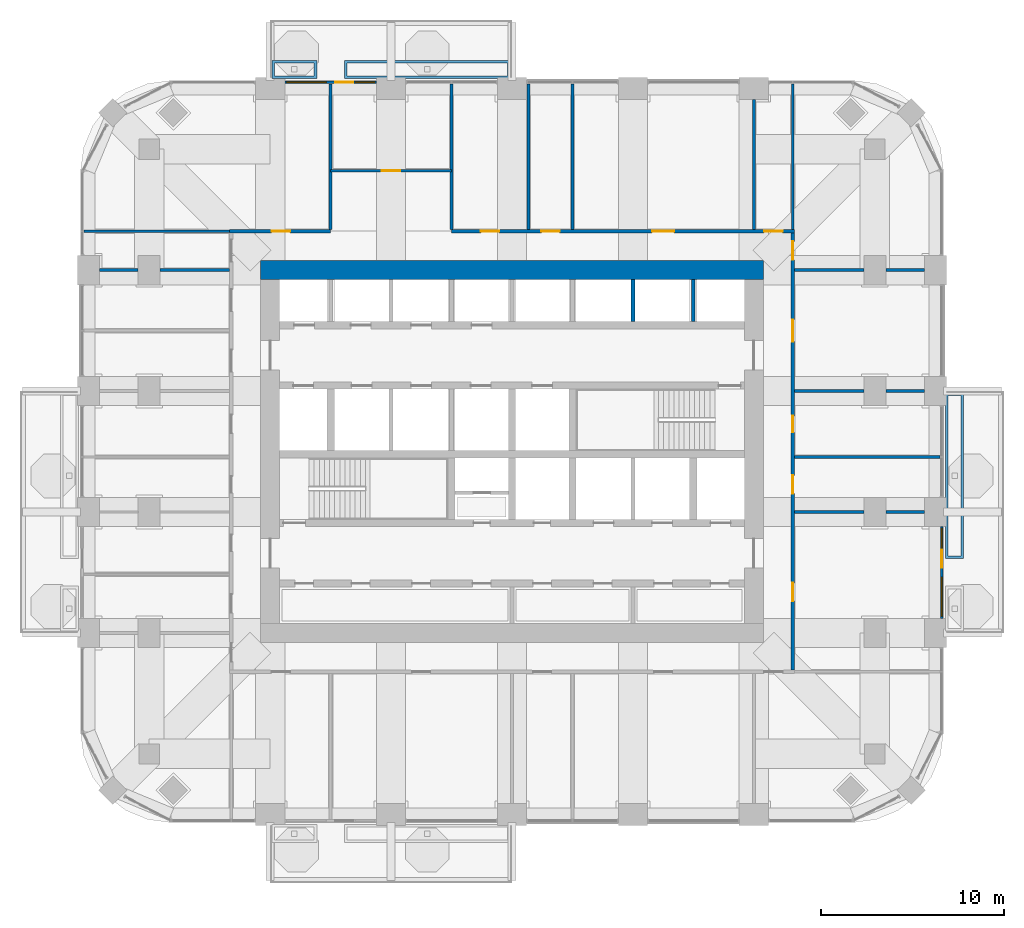
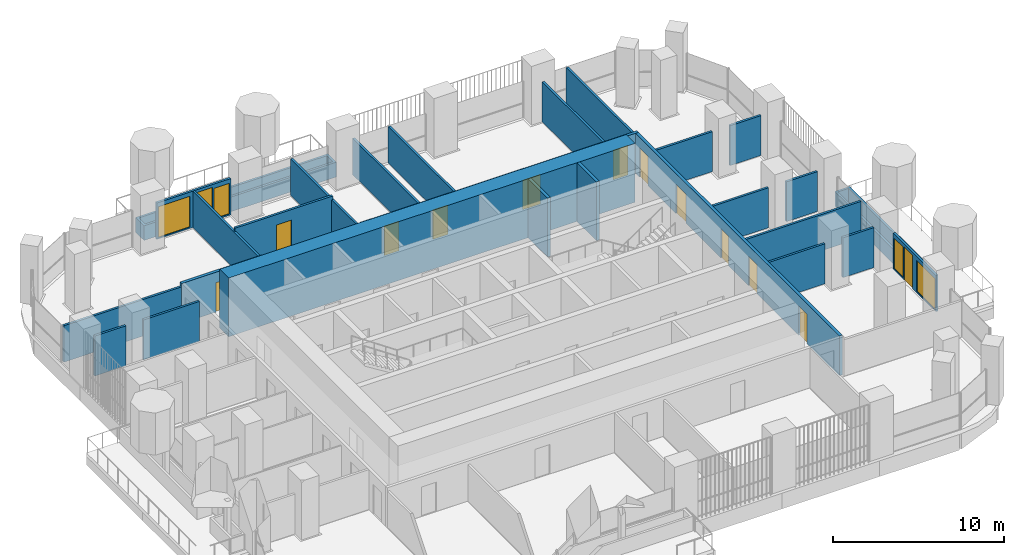
# One storey, part 14 of 20: 28 walls, 13 doors, 4 windows, 17 openings.
"""IFC4 building model written with IfcOpenShell, lengths in metres."""

from ifc_helpers import new_model, si_unit, direction, frame, frame_2d, origin, place, context, subcontext, project, spatial, polyline, rectangle, outline, extrude, material, layer, layer_set, type_object, element, fill, save


model = new_model("IFC4")

# Units and contexts
model_context = context("Model", 3, precision=1e-05, world=origin(), true_north=direction((0.0, 1.0)))
body_context = subcontext(model_context, "Body", "Model", "MODEL_VIEW")
ifc_project = project(units=[si_unit("LENGTHUNIT", "METRE"), si_unit("AREAUNIT", "SQUARE_METRE"), si_unit("VOLUMEUNIT", "CUBIC_METRE"), si_unit("PLANEANGLEUNIT", "RADIAN"), si_unit("MASSUNIT", "GRAM", prefix="KILO")], contexts=[model_context])

# Site, building, storey
site_placement = place(None, origin())
site = spatial("IfcSite", under=ifc_project, at=site_placement, CompositionType="ELEMENT")
building_placement = place(site_placement, origin())
building = spatial("IfcBuilding", under=site, at=building_placement, Name="Cobogo Forest Laboratory Tower", CompositionType="ELEMENT")
storey_placement = place(building_placement, frame((0.0, 0.0, 210.300048828125)))
storey = spatial("IfcBuildingStorey", under=building, at=storey_placement, Name="L48", CompositionType="ELEMENT", Elevation=210.300048828125)

# Wall
ifc_material_1 = material(Name="Concrete HA-50 (C50/60)", Category="concrete")
ifc_layer_1 = layer(ifc_material_1, 1.050048828125)
ifc_layer_set_1 = layer_set([ifc_layer_1], Name="CW1050 core outer wall 1050")
wall_type_1 = type_object("IfcWallType", Name="CW1050 core outer wall 1050", PredefinedType="SHEAR", material=ifc_layer_set_1)
wall_1_placement = place(storey_placement, frame((40.125, 33.0, 0.0), z_axis=(0.0, 0.0, 1.0), x_axis=(-1.0, 0.0, 0.0)))
element("IfcWall", 1, at=wall_1_placement, inside=storey, type_object=wall_type_1, Name="Core wall CO-N L48", PredefinedType="SHEAR", context=body_context, shape_type="SweptSolid", body=[
    extrude(rectangle(XDim=27.449951171875, YDim=1.050048828125, at=frame_2d((13.72509765625, 0.0))), origin(), (0.0, 0.0, 1.0), 4.199951171875),
])

# Wall, openings, door, windows
ifc_material_2 = material(Name="Aluminium framed glazed screen", Category="aluminium")
ifc_layer_2 = layer(ifc_material_2, 0.14990234375)
ifc_layer_set_2 = layer_set([ifc_layer_2], Name="GS1 glazed door screen 150")
wall_type_2 = type_object("IfcWallType", Name="GS1 glazed door screen 150", PredefinedType="SOLIDWALL", material=ifc_layer_set_2)
wall_2_placement = place(storey_placement, frame((49.85009765625, 14.0, 0.0), z_axis=(0.0, 0.0, 1.0), x_axis=(0.0, 1.0, 0.0)))
wall_2 = element("IfcWall", 2, at=wall_2_placement, inside=storey, type_object=wall_type_2, Name="Door screen BAL-E1 L48", PredefinedType="SOLIDWALL", context=body_context, shape_type="SweptSolid", body=[
    extrude(rectangle(XDim=5.0, YDim=0.14990234375, at=frame_2d((2.5, 0.0))), origin(), (0.0, 0.0, 1.0), 2.599853515625),
])
opening_1_placement = place(wall_2_placement, frame((2.75, 0.0, 0.0)))
opening_1 = element("IfcOpeningElement", 3, at=opening_1_placement, cuts=wall_2, Name="Opening L48-D19", PredefinedType="OPENING", context=body_context, shape_type="SweptSolid", body=[
    extrude(rectangle(XDim=1.0, YDim=2.39990234375, at=frame_2d((0.5, 1.199951171875))), frame((0.0, 0.0849609375, 0.0), z_axis=(0.0, -1.0, 0.0), x_axis=(1.0, 0.0, 0.0)), (0.0, 0.0, 1.0), 0.169921875),
])
opening_2_placement = place(wall_2_placement, frame((0.10009765625, 0.0, 0.10009765625)))
opening_2 = element("IfcOpeningElement", 4, at=opening_2_placement, cuts=wall_2, Name="Opening L48-W04", PredefinedType="OPENING", context=body_context, shape_type="SweptSolid", body=[
    extrude(rectangle(XDim=2.14990234375, YDim=2.199951171875, at=frame_2d((1.074951171875, 1.10009765625))), frame((0.0, 0.0849609375, 0.0), z_axis=(0.0, -1.0, 0.0), x_axis=(1.0, 0.0, 0.0)), (0.0, 0.0, 1.0), 0.169921875),
])
opening_3_placement = place(wall_2_placement, frame((3.85009765625, 0.0, 0.10009765625)))
opening_3 = element("IfcOpeningElement", 5, at=opening_3_placement, cuts=wall_2, Name="Opening L48-W06", PredefinedType="OPENING", context=body_context, shape_type="SweptSolid", body=[
    extrude(rectangle(XDim=1.050048828125, YDim=2.199951171875, at=frame_2d((0.52490234375, 1.10009765625))), frame((0.0, 0.0849609375, 0.0), z_axis=(0.0, -1.0, 0.0), x_axis=(1.0, 0.0, 0.0)), (0.0, 0.0, 1.0), 0.169921875),
])
ifc_material_3 = material(Name="Aluminium glazed door", Category="aluminium")
door_type_1 = type_object("IfcDoorType", Name="DB1 balcony door 1000 glazed", OperationType="SINGLE_SWING_LEFT", PredefinedType="DOOR", material=ifc_material_3)
door_1_placement = place(opening_1_placement, origin())
door_1 = element("IfcDoor", 6, at=door_1_placement, inside=storey, type_object=door_type_1, Name="Door L48-BAL-E1", OperationType="SINGLE_SWING_RIGHT", OverallHeight=2.39990234375, OverallWidth=1.0, PredefinedType="DOOR", context=body_context, shape_type="SweptSolid", body=[
    extrude(rectangle(XDim=1.0, YDim=2.39990234375, at=frame_2d((0.5, 1.199951171875))), frame((0.0, 0.02490234375, 0.0), z_axis=(0.0, -1.0, 0.0), x_axis=(1.0, 0.0, 0.0)), (0.0, 0.0, 1.0), 0.050048828125),
])
fill(opening_1, door_1)
ifc_material_4 = material(Name="Aluminium framed glazing", Category="aluminium")
window_type_1 = type_object("IfcWindowType", Name="WG17 fixed glazed light 2150x2200", PartitioningType="SINGLE_PANEL", PredefinedType="WINDOW", material=ifc_material_4)
window_1_placement = place(opening_2_placement, origin())
window_1 = element("IfcWindow", 7, at=window_1_placement, inside=storey, type_object=window_type_1, Name="Window L48-BAL-E1-1", OverallHeight=2.199951171875, OverallWidth=2.14990234375, PartitioningType="SINGLE_PANEL", PredefinedType="WINDOW", context=body_context, shape_type="SweptSolid", body=[
    extrude(rectangle(XDim=2.14990234375, YDim=2.199951171875, at=frame_2d((1.074951171875, 1.10009765625))), frame((0.0, 0.030029296875, 0.0), z_axis=(0.0, -1.0, 0.0), x_axis=(1.0, 0.0, 0.0)), (0.0, 0.0, 1.0), 0.06005859375),
])
fill(opening_2, window_1)
window_type_2 = type_object("IfcWindowType", Name="WG18 fixed glazed light 1050x2200", PartitioningType="SINGLE_PANEL", PredefinedType="WINDOW", material=ifc_material_4)
window_2_placement = place(opening_3_placement, origin())
window_2 = element("IfcWindow", 8, at=window_2_placement, inside=storey, type_object=window_type_2, Name="Window L48-BAL-E1-2", OverallHeight=2.199951171875, OverallWidth=1.050048828125, PartitioningType="SINGLE_PANEL", PredefinedType="WINDOW", context=body_context, shape_type="SweptSolid", body=[
    extrude(rectangle(XDim=1.050048828125, YDim=2.199951171875, at=frame_2d((0.52490234375, 1.10009765625))), frame((0.0, 0.030029296875, 0.0), z_axis=(0.0, -1.0, 0.0), x_axis=(1.0, 0.0, 0.0)), (0.0, 0.0, 1.0), 0.06005859375),
])
fill(opening_3, window_2)

wall_3_placement = place(storey_placement, frame((19.0, 43.25, 0.0), z_axis=(0.0, 0.0, 1.0), x_axis=(-1.0, 0.0, 0.0)))
wall_3 = element("IfcWall", 9, at=wall_3_placement, inside=storey, type_object=wall_type_2, Name="Door screen BAL-N1 L48", PredefinedType="SOLIDWALL", context=body_context, shape_type="SweptSolid", body=[
    extrude(rectangle(XDim=5.0, YDim=0.14990234375, at=frame_2d((2.5, 0.0))), origin(), (0.0, 0.0, 1.0), 2.599853515625),
])
opening_4_placement = place(wall_3_placement, frame((1.25, 0.0, 0.0)))
opening_4 = element("IfcOpeningElement", 10, at=opening_4_placement, cuts=wall_3, Name="Opening L48-D45", PredefinedType="OPENING", context=body_context, shape_type="SweptSolid", body=[
    extrude(rectangle(XDim=1.0, YDim=2.39990234375, at=frame_2d((0.5, 1.199951171875))), frame((0.0, 0.0849609375, 0.0), z_axis=(0.0, -1.0, 0.0), x_axis=(1.0, 0.0, 0.0)), (0.0, 0.0, 1.0), 0.169921875),
])
opening_5_placement = place(wall_3_placement, frame((0.10009765625, 0.0, 0.10009765625)))
opening_5 = element("IfcOpeningElement", 11, at=opening_5_placement, cuts=wall_3, Name="Opening L48-W08", PredefinedType="OPENING", context=body_context, shape_type="SweptSolid", body=[
    extrude(rectangle(XDim=1.050048828125, YDim=2.199951171875, at=frame_2d((0.52490234375, 1.10009765625))), frame((0.0, 0.0849609375, 0.0), z_axis=(0.0, -1.0, 0.0), x_axis=(1.0, 0.0, 0.0)), (0.0, 0.0, 1.0), 0.169921875),
])
opening_6_placement = place(wall_3_placement, frame((2.75, 0.0, 0.10009765625)))
opening_6 = element("IfcOpeningElement", 12, at=opening_6_placement, cuts=wall_3, Name="Opening L48-W07", PredefinedType="OPENING", context=body_context, shape_type="SweptSolid", body=[
    extrude(rectangle(XDim=2.14990234375, YDim=2.199951171875, at=frame_2d((1.074951171875, 1.10009765625))), frame((0.0, 0.0849609375, 0.0), z_axis=(0.0, -1.0, 0.0), x_axis=(1.0, 0.0, 0.0)), (0.0, 0.0, 1.0), 0.169921875),
])
door_2_placement = place(opening_4_placement, origin())
door_2 = element("IfcDoor", 13, at=door_2_placement, inside=storey, type_object=door_type_1, Name="Door L48-BAL-N1", OperationType="SINGLE_SWING_LEFT", OverallHeight=2.39990234375, OverallWidth=1.0, PredefinedType="DOOR", context=body_context, shape_type="SweptSolid", body=[
    extrude(rectangle(XDim=1.0, YDim=2.39990234375, at=frame_2d((0.5, 1.199951171875))), frame((0.0, 0.02490234375, 0.0), z_axis=(0.0, -1.0, 0.0), x_axis=(1.0, 0.0, 0.0)), (0.0, 0.0, 1.0), 0.050048828125),
])
fill(opening_4, door_2)
window_3_placement = place(opening_6_placement, origin())
window_3 = element("IfcWindow", 14, at=window_3_placement, inside=storey, type_object=window_type_1, Name="Window L48-BAL-N1-2", OverallHeight=2.199951171875, OverallWidth=2.14990234375, PartitioningType="SINGLE_PANEL", PredefinedType="WINDOW", context=body_context, shape_type="SweptSolid", body=[
    extrude(rectangle(XDim=2.14990234375, YDim=2.199951171875, at=frame_2d((1.074951171875, 1.10009765625))), frame((0.0, 0.030029296875, 0.0), z_axis=(0.0, -1.0, 0.0), x_axis=(1.0, 0.0, 0.0)), (0.0, 0.0, 1.0), 0.06005859375),
])
fill(opening_6, window_3)
window_4_placement = place(opening_5_placement, origin())
window_4 = element("IfcWindow", 15, at=window_4_placement, inside=storey, type_object=window_type_2, Name="Window L48-BAL-N1-1", OverallHeight=2.199951171875, OverallWidth=1.050048828125, PartitioningType="SINGLE_PANEL", PredefinedType="WINDOW", context=body_context, shape_type="SweptSolid", body=[
    extrude(rectangle(XDim=1.050048828125, YDim=2.199951171875, at=frame_2d((0.52490234375, 1.10009765625))), frame((0.0, 0.030029296875, 0.0), z_axis=(0.0, -1.0, 0.0), x_axis=(1.0, 0.0, 0.0)), (0.0, 0.0, 1.0), 0.06005859375),
])
fill(opening_5, window_4)

# Walls
ifc_material_5 = material(Name="Gypsum board on steel studs", Category="steel")
ifc_layer_3 = layer(ifc_material_5, 0.14990234375)
ifc_layer_set_3 = layer_set([ifc_layer_3], Name="PT1 laboratory partition 150")
wall_type_3 = type_object("IfcWallType", Name="PT1 laboratory partition 150", PredefinedType="PARTITIONING", material=ifc_layer_set_3)
wall_4_placement = place(storey_placement, frame((41.72509765625, 43.169921875, 0.0), z_axis=(0.0, 0.0, 1.0), x_axis=(0.0, -1.0, 0.0)))
element("IfcWall", 16, at=wall_4_placement, inside=storey, type_object=wall_type_3, Name="Partition PW-NE L48", PredefinedType="PARTITIONING", context=body_context, shape_type="SweptSolid", body=[
    extrude(rectangle(XDim=7.94482421875, YDim=0.14990234375, at=frame_2d((3.972412109375, 0.0))), origin(), (0.0, 0.0, 1.0), 2.599853515625),
])
for number, where, z_axis, x_axis, name in (
    (17, (3.030029296875, 35.125, 0.0), (0.0, 0.0, 1.0), (1.0, 0.0, 0.0), "Partition PW-NW L48"),
    (18, (49.77001953125, 22.800048828125, 0.0), (0.0, 0.0, 1.0), (-1.0, 0.0, 0.0), "Partition SVC-E1-1 L48"),
):
    element("IfcWall", number, at=place(storey_placement, frame(where, z_axis=z_axis, x_axis=x_axis)), inside=storey, type_object=wall_type_3, Name=name, PredefinedType="PARTITIONING", context=body_context, shape_type="SweptSolid", body=[
        extrude(rectangle(XDim=7.945068359375, YDim=0.14990234375, at=frame_2d((3.97265625, 0.0))), origin(), (0.0, 0.0, 1.0), 2.599853515625),
    ])
wall_5_placement = place(storey_placement, frame((48.89990234375, 26.39990234375, 0.0), z_axis=(0.0, 0.0, 1.0), x_axis=(-1.0, 0.0, 0.0)))
element("IfcWall", 19, at=wall_5_placement, inside=storey, type_object=wall_type_3, Name="Partition SVC-E2-1 L48", PredefinedType="PARTITIONING", context=body_context, shape_type="SweptSolid", body=[
    extrude(rectangle(XDim=2.099853515625, YDim=0.14990234375, at=frame_2d((1.0498046875, 0.0))), origin(), (0.0, 0.0, 1.0), 2.849853515625),
])
wall_6_placement = place(storey_placement, frame((45.60009765625, 26.39990234375, 0.0), z_axis=(0.0, 0.0, 1.0), x_axis=(-1.0, 0.0, 0.0)))
element("IfcWall", 20, at=wall_6_placement, inside=storey, type_object=wall_type_3, Name="Partition SVC-E2-2 L48", PredefinedType="PARTITIONING", context=body_context, shape_type="SweptSolid", body=[
    extrude(rectangle(XDim=3.775146484375, YDim=0.14990234375, at=frame_2d((1.8876953125, 0.0))), origin(), (0.0, 0.0, 1.0), 2.849853515625),
])
wall_7_placement = place(storey_placement, frame((48.89990234375, 19.800048828125, 0.0), z_axis=(0.0, 0.0, 1.0), x_axis=(-1.0, 0.0, 0.0)))
element("IfcWall", 21, at=wall_7_placement, inside=storey, type_object=wall_type_3, Name="Partition CUT-E19.8-1 L48", PredefinedType="PARTITIONING", context=body_context, shape_type="SweptSolid", body=[
    extrude(rectangle(XDim=2.099853515625, YDim=0.14990234375, at=frame_2d((1.0498046875, 0.0))), origin(), (0.0, 0.0, 1.0), 2.849853515625),
])
wall_8_placement = place(storey_placement, frame((45.60009765625, 19.800048828125, 0.0), z_axis=(0.0, 0.0, 1.0), x_axis=(-1.0, 0.0, 0.0)))
element("IfcWall", 22, at=wall_8_placement, inside=storey, type_object=wall_type_3, Name="Partition CUT-E19.8-2 L48", PredefinedType="PARTITIONING", context=body_context, shape_type="SweptSolid", body=[
    extrude(rectangle(XDim=3.775146484375, YDim=0.14990234375, at=frame_2d((1.8876953125, 0.0))), origin(), (0.0, 0.0, 1.0), 2.849853515625),
])
wall_9_placement = place(storey_placement, frame((48.89990234375, 33.0, 0.0), z_axis=(0.0, 0.0, 1.0), x_axis=(-1.0, 0.0, 0.0)))
element("IfcWall", 23, at=wall_9_placement, inside=storey, type_object=wall_type_3, Name="Partition CUT-E33-1 L48", PredefinedType="PARTITIONING", context=body_context, shape_type="SweptSolid", body=[
    extrude(rectangle(XDim=2.099853515625, YDim=0.14990234375, at=frame_2d((1.0498046875, 0.0))), origin(), (0.0, 0.0, 1.0), 2.849853515625),
])
wall_10_placement = place(storey_placement, frame((45.60009765625, 33.0, 0.0), z_axis=(0.0, 0.0, 1.0), x_axis=(-1.0, 0.0, 0.0)))
element("IfcWall", 24, at=wall_10_placement, inside=storey, type_object=wall_type_3, Name="Partition CUT-E33-2 L48", PredefinedType="PARTITIONING", context=body_context, shape_type="SweptSolid", body=[
    extrude(rectangle(XDim=3.775146484375, YDim=0.14990234375, at=frame_2d((1.8876953125, 0.0))), origin(), (0.0, 0.0, 1.0), 2.849853515625),
])

# Wall, opening, door
wall_11_placement = place(storey_placement, frame((16.5, 38.425048828125, 0.0), z_axis=(0.0, 0.0, 1.0), x_axis=(1.0, 0.0, 0.0)))
wall_11 = element("IfcWall", 25, at=wall_11_placement, inside=storey, type_object=wall_type_3, Name="Partition NODE-N-1 L48", PredefinedType="PARTITIONING", context=body_context, shape_type="SweptSolid", body=[
    extrude(rectangle(XDim=6.60009765625, YDim=0.14990234375, at=frame_2d((3.300048828125, 0.0))), origin(), (0.0, 0.0, 1.0), 2.849853515625),
])
opening_7_placement = place(wall_11_placement, frame((2.800048828125, 0.0, 0.0)))
opening_7 = element("IfcOpeningElement", 26, at=opening_7_placement, cuts=wall_11, Name="Opening L48-D44", PredefinedType="OPENING", context=body_context, shape_type="SweptSolid", body=[
    extrude(rectangle(XDim=1.0, YDim=2.10009765625, at=frame_2d((0.5, 1.050048828125))), frame((0.0, 0.0849609375, 0.0), z_axis=(0.0, -1.0, 0.0), x_axis=(1.0, 0.0, 0.0)), (0.0, 0.0, 1.0), 0.169921875),
])
ifc_material_6 = material(Name="Timber fire door", Category="wood")
door_type_2 = type_object("IfcDoorType", Name="FD2 fire door 1000 EI2 30", OperationType="SINGLE_SWING_LEFT", PredefinedType="DOOR", material=ifc_material_6)
door_3_placement = place(opening_7_placement, origin())
door_3 = element("IfcDoor", 27, at=door_3_placement, inside=storey, type_object=door_type_2, Name="Door L48-N2", OperationType="SINGLE_SWING_RIGHT", OverallHeight=2.10009765625, OverallWidth=1.0, PredefinedType="DOOR", context=body_context, shape_type="SweptSolid", body=[
    extrude(rectangle(XDim=1.0, YDim=2.10009765625, at=frame_2d((0.5, 1.050048828125))), frame((0.0, 0.02490234375, 0.0), z_axis=(0.0, -1.0, 0.0), x_axis=(1.0, 0.0, 0.0)), (0.0, 0.0, 1.0), 0.050048828125),
])
fill(opening_7, door_3)

# Walls
for number, where, z_axis, x_axis, name in (
    (28, (27.300048828125, 43.169921875, 0.0), (0.0, 0.0, 1.0), (0.0, -1.0, 0.0), "Partition SVC-N1-1 L48"),
    (29, (29.699951171875, 43.169921875, 0.0), (0.0, 0.0, 1.0), (0.0, -1.0, 0.0), "Partition SVC-N2-1 L48"),
    (30, (16.5, 43.169921875, 0.0), (0.0, 0.0, 1.0), (0.0, -1.0, 0.0), "Partition CUT-N16.5-1 L48"),
    (31, (23.10009765625, 43.169921875, 0.0), (0.0, 0.0, 1.0), (0.0, -1.0, 0.0), "Partition CUT-N23.1-1 L48"),
):
    element("IfcWall", number, at=place(storey_placement, frame(where, z_axis=z_axis, x_axis=x_axis)), inside=storey, type_object=wall_type_3, Name=name, PredefinedType="PARTITIONING", context=body_context, shape_type="SweptSolid", body=[
        extrude(rectangle(XDim=7.94482421875, YDim=0.14990234375, at=frame_2d((3.972412109375, 0.0))), origin(), (0.0, 0.0, 1.0), 2.599853515625),
    ])
wall_12_placement = place(storey_placement, frame((39.60009765625, 42.300048828125, 0.0), z_axis=(0.0, 0.0, 1.0), x_axis=(0.0, -1.0, 0.0)))
element("IfcWall", 32, at=wall_12_placement, inside=storey, type_object=wall_type_3, Name="Partition CUT-N39.6-1 L48", PredefinedType="PARTITIONING", context=body_context, shape_type="SweptSolid", body=[
    extrude(rectangle(XDim=7.074951171875, YDim=0.14990234375, at=frame_2d((3.53759765625, 0.0))), origin(), (0.0, 0.0, 1.0), 2.849853515625),
])
wall_13_placement = place(storey_placement, frame((3.89990234375, 33.0, 0.0), z_axis=(0.0, 0.0, 1.0), x_axis=(1.0, 0.0, 0.0)))
element("IfcWall", 33, at=wall_13_placement, inside=storey, type_object=wall_type_3, Name="Partition CUT-W33-1 L48", PredefinedType="PARTITIONING", context=body_context, shape_type="SweptSolid", body=[
    extrude(rectangle(XDim=2.10009765625, YDim=0.14990234375, at=frame_2d((1.050048828125, 0.0))), origin(), (0.0, 0.0, 1.0), 2.849853515625),
])
wall_14_placement = place(storey_placement, frame((7.199951171875, 33.0, 0.0), z_axis=(0.0, 0.0, 1.0), x_axis=(1.0, 0.0, 0.0)))
element("IfcWall", 34, at=wall_14_placement, inside=storey, type_object=wall_type_3, Name="Partition CUT-W33-2 L48", PredefinedType="PARTITIONING", context=body_context, shape_type="SweptSolid", body=[
    extrude(rectangle(XDim=3.775146484375, YDim=0.14990234375, at=frame_2d((1.8876953125, 0.0))), origin(), (0.0, 0.0, 1.0), 2.849853515625),
])

# Wall, opening, door
ifc_layer_4 = layer(ifc_material_5, 0.199951171875)
ifc_layer_set_4 = layer_set([ifc_layer_4], Name="PT2 fire-rated corridor partition 200")
wall_type_4 = type_object("IfcWallType", Name="PT2 fire-rated corridor partition 200", PredefinedType="PARTITIONING", material=ifc_layer_set_4)
wall_15_placement = place(storey_placement, frame((10.97509765625, 35.125, 0.0), z_axis=(0.0, 0.0, 1.0), x_axis=(1.0, 0.0, 0.0)))
wall_15 = element("IfcWall", 35, at=wall_15_placement, inside=storey, type_object=wall_type_4, Name="Partition CORR-N-1 L48", PredefinedType="PARTITIONING", context=body_context, shape_type="SweptSolid", body=[
    extrude(rectangle(XDim=5.52490234375, YDim=0.199951171875, at=frame_2d((2.762451171875, 0.0))), origin(), (0.0, 0.0, 1.0), 2.849853515625),
])
opening_8_placement = place(wall_15_placement, frame((2.3125, 0.0, 0.0)))
opening_8 = element("IfcOpeningElement", 36, at=opening_8_placement, cuts=wall_15, Name="Opening L48-D39", PredefinedType="OPENING", context=body_context, shape_type="SweptSolid", body=[
    extrude(rectangle(XDim=1.0, YDim=2.10009765625, at=frame_2d((0.5, 1.050048828125))), frame((0.0, 0.10986328125, 0.0), z_axis=(0.0, -1.0, 0.0), x_axis=(1.0, 0.0, 0.0)), (0.0, 0.0, 1.0), 0.219970703125),
])
door_4_placement = place(opening_8_placement, origin())
door_4 = element("IfcDoor", 37, at=door_4_placement, inside=storey, type_object=door_type_2, Name="Door L48-N1", OperationType="SINGLE_SWING_RIGHT", OverallHeight=2.10009765625, OverallWidth=1.0, PredefinedType="DOOR", context=body_context, shape_type="SweptSolid", body=[
    extrude(rectangle(XDim=1.0, YDim=2.10009765625, at=frame_2d((0.5, 1.050048828125))), frame((0.0, 0.02490234375, 0.0), z_axis=(0.0, -1.0, 0.0), x_axis=(1.0, 0.0, 0.0)), (0.0, 0.0, 1.0), 0.050048828125),
])
fill(opening_8, door_4)

# Wall, openings, doors
wall_16_placement = place(storey_placement, frame((23.10009765625, 35.125, 0.0), z_axis=(0.0, 0.0, 1.0), x_axis=(1.0, 0.0, 0.0)))
wall_16 = element("IfcWall", 38, at=wall_16_placement, inside=storey, type_object=wall_type_4, Name="Partition CORR-N-2 L48", PredefinedType="PARTITIONING", context=body_context, shape_type="SweptSolid", body=[
    extrude(rectangle(XDim=18.724853515625, YDim=0.199951171875, at=frame_2d((9.3623046875, 0.0))), origin(), (0.0, 0.0, 1.0), 2.849853515625),
])
opening_9_placement = place(wall_16_placement, frame((1.60009765625, 0.0, 0.0)))
opening_9 = element("IfcOpeningElement", 39, at=opening_9_placement, cuts=wall_16, Name="Opening L48-D40", PredefinedType="OPENING", context=body_context, shape_type="SweptSolid", body=[
    extrude(rectangle(XDim=1.0, YDim=2.10009765625, at=frame_2d((0.5, 1.050048828125))), frame((0.0, 0.10986328125, 0.0), z_axis=(0.0, -1.0, 0.0), x_axis=(1.0, 0.0, 0.0)), (0.0, 0.0, 1.0), 0.219970703125),
])
opening_10_placement = place(wall_16_placement, frame((4.89990234375, 0.0, 0.0)))
opening_10 = element("IfcOpeningElement", 40, at=opening_10_placement, cuts=wall_16, Name="Opening L48-D41", PredefinedType="OPENING", context=body_context, shape_type="SweptSolid", body=[
    extrude(rectangle(XDim=1.0, YDim=2.10009765625, at=frame_2d((0.5, 1.050048828125))), frame((0.0, 0.10986328125, 0.0), z_axis=(0.0, -1.0, 0.0), x_axis=(1.0, 0.0, 0.0)), (0.0, 0.0, 1.0), 0.219970703125),
])
opening_11_placement = place(wall_16_placement, frame((10.949951171875, 0.0, 0.0)))
opening_11 = element("IfcOpeningElement", 41, at=opening_11_placement, cuts=wall_16, Name="Opening L48-D42", PredefinedType="OPENING", context=body_context, shape_type="SweptSolid", body=[
    extrude(rectangle(XDim=1.199951171875, YDim=2.10009765625, at=frame_2d((0.60009765625, 1.050048828125))), frame((0.0, 0.10986328125, 0.0), z_axis=(0.0, -1.0, 0.0), x_axis=(1.0, 0.0, 0.0)), (0.0, 0.0, 1.0), 0.219970703125),
])
opening_12_placement = place(wall_16_placement, frame((17.0625, 0.0, 0.0)))
opening_12 = element("IfcOpeningElement", 42, at=opening_12_placement, cuts=wall_16, Name="Opening L48-D43", PredefinedType="OPENING", context=body_context, shape_type="SweptSolid", body=[
    extrude(rectangle(XDim=1.0, YDim=2.10009765625, at=frame_2d((0.5, 1.050048828125))), frame((0.0, 0.10986328125, 0.0), z_axis=(0.0, -1.0, 0.0), x_axis=(1.0, 0.0, 0.0)), (0.0, 0.0, 1.0), 0.219970703125),
])
ifc_material_7 = material(Name="Timber door", Category="wood")
door_type_3 = type_object("IfcDoorType", Name="D2 laboratory door 1200 unequal pair", OperationType="DOUBLE_DOOR_SINGLE_SWING", PredefinedType="DOOR", material=ifc_material_7)
door_5_placement = place(opening_11_placement, origin())
door_5 = element("IfcDoor", 43, at=door_5_placement, inside=storey, type_object=door_type_3, Name="Door L48-N3", OperationType="DOUBLE_DOOR_SINGLE_SWING", OverallHeight=2.10009765625, OverallWidth=1.199951171875, PredefinedType="DOOR", context=body_context, shape_type="SweptSolid", body=[
    extrude(rectangle(XDim=1.199951171875, YDim=2.10009765625, at=frame_2d((0.60009765625, 1.050048828125))), frame((0.0, 0.02490234375, 0.0), z_axis=(0.0, -1.0, 0.0), x_axis=(1.0, 0.0, 0.0)), (0.0, 0.0, 1.0), 0.050048828125),
])
fill(opening_11, door_5)
door_6_placement = place(opening_9_placement, origin())
door_6 = element("IfcDoor", 44, at=door_6_placement, inside=storey, type_object=door_type_2, Name="Door L48-MTG", OperationType="SINGLE_SWING_LEFT", OverallHeight=2.10009765625, OverallWidth=1.0, PredefinedType="DOOR", context=body_context, shape_type="SweptSolid", body=[
    extrude(rectangle(XDim=1.0, YDim=2.10009765625, at=frame_2d((0.5, 1.050048828125))), frame((0.0, 0.02490234375, 0.0), z_axis=(0.0, -1.0, 0.0), x_axis=(1.0, 0.0, 0.0)), (0.0, 0.0, 1.0), 0.050048828125),
])
fill(opening_9, door_6)
door_7_placement = place(opening_10_placement, origin())
door_7 = element("IfcDoor", 45, at=door_7_placement, inside=storey, type_object=door_type_2, Name="Door L48-PAN", OperationType="SINGLE_SWING_LEFT", OverallHeight=2.10009765625, OverallWidth=1.0, PredefinedType="DOOR", context=body_context, shape_type="SweptSolid", body=[
    extrude(rectangle(XDim=1.0, YDim=2.10009765625, at=frame_2d((0.5, 1.050048828125))), frame((0.0, 0.02490234375, 0.0), z_axis=(0.0, -1.0, 0.0), x_axis=(1.0, 0.0, 0.0)), (0.0, 0.0, 1.0), 0.050048828125),
])
fill(opening_10, door_7)
door_8_placement = place(opening_12_placement, origin())
door_8 = element("IfcDoor", 46, at=door_8_placement, inside=storey, type_object=door_type_2, Name="Door L48-N4", OperationType="SINGLE_SWING_RIGHT", OverallHeight=2.10009765625, OverallWidth=1.0, PredefinedType="DOOR", context=body_context, shape_type="SweptSolid", body=[
    extrude(rectangle(XDim=1.0, YDim=2.10009765625, at=frame_2d((0.5, 1.050048828125))), frame((0.0, 0.02490234375, 0.0), z_axis=(0.0, -1.0, 0.0), x_axis=(1.0, 0.0, 0.0)), (0.0, 0.0, 1.0), 0.050048828125),
])
fill(opening_12, door_8)

wall_17_placement = place(storey_placement, frame((41.72509765625, 11.175048828125, 0.0), z_axis=(0.0, 0.0, 1.0), x_axis=(0.0, 1.0, 0.0)))
wall_17 = element("IfcWall", 47, at=wall_17_placement, inside=storey, type_object=wall_type_4, Name="Partition CORR-E L48", PredefinedType="PARTITIONING", context=body_context, shape_type="SweptSolid", body=[
    extrude(rectangle(XDim=23.849853515625, YDim=0.199951171875, at=frame_2d((11.9248046875, 0.0))), origin(), (0.0, 0.0, 1.0), 2.849853515625),
])
opening_13_placement = place(wall_17_placement, frame((3.762451171875, 0.0, 0.0)))
opening_13 = element("IfcOpeningElement", 48, at=opening_13_placement, cuts=wall_17, Name="Opening L48-D09", PredefinedType="OPENING", context=body_context, shape_type="SweptSolid", body=[
    extrude(rectangle(XDim=1.0, YDim=2.10009765625, at=frame_2d((0.5, 1.050048828125))), frame((0.0, 0.10986328125, 0.0), z_axis=(0.0, -1.0, 0.0), x_axis=(1.0, 0.0, 0.0)), (0.0, 0.0, 1.0), 0.219970703125),
])
opening_14_placement = place(wall_17_placement, frame((9.625, 0.0, 0.0)))
opening_14 = element("IfcOpeningElement", 49, at=opening_14_placement, cuts=wall_17, Name="Opening L48-D28", PredefinedType="OPENING", context=body_context, shape_type="SweptSolid", body=[
    extrude(rectangle(XDim=1.0, YDim=2.10009765625, at=frame_2d((0.5, 1.050048828125))), frame((0.0, 0.10986328125, 0.0), z_axis=(0.0, -1.0, 0.0), x_axis=(1.0, 0.0, 0.0)), (0.0, 0.0, 1.0), 0.219970703125),
])
opening_15_placement = place(wall_17_placement, frame((12.97509765625, 0.0, 0.0)))
opening_15 = element("IfcOpeningElement", 50, at=opening_15_placement, cuts=wall_17, Name="Opening L48-D30", PredefinedType="OPENING", context=body_context, shape_type="SweptSolid", body=[
    extrude(rectangle(XDim=0.89990234375, YDim=2.10009765625, at=frame_2d((0.449951171875, 1.050048828125))), frame((0.0, 0.10986328125, 0.0), z_axis=(0.0, -1.0, 0.0), x_axis=(1.0, 0.0, 0.0)), (0.0, 0.0, 1.0), 0.219970703125),
])
opening_16_placement = place(wall_17_placement, frame((17.925048828125, 0.0, 0.0)))
opening_16 = element("IfcOpeningElement", 51, at=opening_16_placement, cuts=wall_17, Name="Opening L48-D35", PredefinedType="OPENING", context=body_context, shape_type="SweptSolid", body=[
    extrude(rectangle(XDim=1.199951171875, YDim=2.10009765625, at=frame_2d((0.60009765625, 1.050048828125))), frame((0.0, 0.10986328125, 0.0), z_axis=(0.0, -1.0, 0.0), x_axis=(1.0, 0.0, 0.0)), (0.0, 0.0, 1.0), 0.219970703125),
])
opening_17_placement = place(wall_17_placement, frame((22.387451171875, 0.0, 0.0)))
opening_17 = element("IfcOpeningElement", 52, at=opening_17_placement, cuts=wall_17, Name="Opening L48-D38", PredefinedType="OPENING", context=body_context, shape_type="SweptSolid", body=[
    extrude(rectangle(XDim=1.0, YDim=2.10009765625, at=frame_2d((0.5, 1.050048828125))), frame((0.0, 0.10986328125, 0.0), z_axis=(0.0, -1.0, 0.0), x_axis=(1.0, 0.0, 0.0)), (0.0, 0.0, 1.0), 0.219970703125),
])
door_9_placement = place(opening_16_placement, origin())
door_9 = element("IfcDoor", 53, at=door_9_placement, inside=storey, type_object=door_type_3, Name="Door L48-E2", OperationType="DOUBLE_DOOR_SINGLE_SWING", OverallHeight=2.10009765625, OverallWidth=1.199951171875, PredefinedType="DOOR", context=body_context, shape_type="SweptSolid", body=[
    extrude(rectangle(XDim=1.199951171875, YDim=2.10009765625, at=frame_2d((0.60009765625, 1.050048828125))), frame((0.0, 0.02490234375, 0.0), z_axis=(0.0, -1.0, 0.0), x_axis=(1.0, 0.0, 0.0)), (0.0, 0.0, 1.0), 0.050048828125),
])
fill(opening_16, door_9)
ifc_material_8 = material(Name="Steel fire door", Category="steel")
door_type_4 = type_object("IfcDoorType", Name="FD1 fire door 1000 EI2 60", OperationType="SINGLE_SWING_LEFT", PredefinedType="DOOR", material=ifc_material_8)
door_10_placement = place(opening_14_placement, origin())
door_10 = element("IfcDoor", 54, at=door_10_placement, inside=storey, type_object=door_type_4, Name="Door L48-ELEC", OperationType="SINGLE_SWING_LEFT", OverallHeight=2.10009765625, OverallWidth=1.0, PredefinedType="DOOR", context=body_context, shape_type="SweptSolid", body=[
    extrude(rectangle(XDim=1.0, YDim=2.10009765625, at=frame_2d((0.5, 1.050048828125))), frame((0.0, 0.02490234375, 0.0), z_axis=(0.0, -1.0, 0.0), x_axis=(1.0, 0.0, 0.0)), (0.0, 0.0, 1.0), 0.050048828125),
])
fill(opening_14, door_10)
door_11_placement = place(opening_13_placement, origin())
door_11 = element("IfcDoor", 55, at=door_11_placement, inside=storey, type_object=door_type_2, Name="Door L48-E1", OperationType="SINGLE_SWING_LEFT", OverallHeight=2.10009765625, OverallWidth=1.0, PredefinedType="DOOR", context=body_context, shape_type="SweptSolid", body=[
    extrude(rectangle(XDim=1.0, YDim=2.10009765625, at=frame_2d((0.5, 1.050048828125))), frame((0.0, 0.02490234375, 0.0), z_axis=(0.0, -1.0, 0.0), x_axis=(1.0, 0.0, 0.0)), (0.0, 0.0, 1.0), 0.050048828125),
])
fill(opening_13, door_11)
door_12_placement = place(opening_17_placement, origin())
door_12 = element("IfcDoor", 56, at=door_12_placement, inside=storey, type_object=door_type_2, Name="Door L48-E3", OperationType="SINGLE_SWING_RIGHT", OverallHeight=2.10009765625, OverallWidth=1.0, PredefinedType="DOOR", context=body_context, shape_type="SweptSolid", body=[
    extrude(rectangle(XDim=1.0, YDim=2.10009765625, at=frame_2d((0.5, 1.050048828125))), frame((0.0, 0.02490234375, 0.0), z_axis=(0.0, -1.0, 0.0), x_axis=(1.0, 0.0, 0.0)), (0.0, 0.0, 1.0), 0.050048828125),
])
fill(opening_17, door_12)
door_type_5 = type_object("IfcDoorType", Name="FD4 riser access door 900 EI2 60", OperationType="SINGLE_SWING_LEFT", PredefinedType="DOOR", material=ifc_material_8)
door_13_placement = place(opening_15_placement, origin())
door_13 = element("IfcDoor", 57, at=door_13_placement, inside=storey, type_object=door_type_5, Name="Door L48-COMMS", OperationType="SINGLE_SWING_RIGHT", OverallHeight=2.10009765625, OverallWidth=0.89990234375, PredefinedType="DOOR", context=body_context, shape_type="SweptSolid", body=[
    extrude(rectangle(XDim=0.89990234375, YDim=2.10009765625, at=frame_2d((0.449951171875, 1.050048828125))), frame((0.0, 0.02490234375, 0.0), z_axis=(0.0, -1.0, 0.0), x_axis=(1.0, 0.0, 0.0)), (0.0, 0.0, 1.0), 0.050048828125),
])
fill(opening_15, door_13)

# Walls
ifc_material_9 = material(Name="Concrete HA-40 (C40/50)", Category="concrete")
ifc_layer_5 = layer(ifc_material_9, 0.14990234375)
ifc_layer_set_5 = layer_set([ifc_layer_5], Name="Planter box 1000x1050")
wall_type_5 = type_object("IfcWallType", Name="Planter box 1000x1050", PredefinedType="USERDEFINED", material=ifc_layer_set_5)
wall_18_placement = place(storey_placement, origin())
element("IfcWall", 58, at=wall_18_placement, inside=storey, type_object=wall_type_5, Name="Planter BAL-E1-2 L48", ObjectType="PLANTER", PredefinedType="USERDEFINED", context=body_context, shape_type="SweptSolid", body=[
    extrude(outline(polyline([(50.050048828125, 17.25), (51.050048828125, 17.25), (51.050048828125, 26.300048828125), (50.050048828125, 26.300048828125), (50.050048828125, 17.25)]), holes=[polyline([(50.199951171875, 17.39990234375), (50.89990234375, 17.39990234375), (50.89990234375, 26.14990234375), (50.199951171875, 26.14990234375), (50.199951171875, 17.39990234375)])]), origin(), (0.0, 0.0, 1.0), 1.050048828125),
])
wall_19_placement = place(storey_placement, origin())
element("IfcWall", 59, at=wall_19_placement, inside=storey, type_object=wall_type_5, Name="Planter BAL-N1-1 L48", ObjectType="PLANTER", PredefinedType="USERDEFINED", context=body_context, shape_type="SweptSolid", body=[
    extrude(outline(polyline([(13.300048828125, 43.449951171875), (15.75, 43.449951171875), (15.75, 44.449951171875), (13.300048828125, 44.449951171875), (13.300048828125, 43.449951171875)]), holes=[polyline([(13.449951171875, 43.60009765625), (15.60009765625, 43.60009765625), (15.60009765625, 44.300048828125), (13.449951171875, 44.300048828125), (13.449951171875, 43.60009765625)])]), origin(), (0.0, 0.0, 1.0), 1.050048828125),
])
wall_20_placement = place(storey_placement, origin())
element("IfcWall", 60, at=wall_20_placement, inside=storey, type_object=wall_type_5, Name="Planter BAL-N1-2 L48", ObjectType="PLANTER", PredefinedType="USERDEFINED", context=body_context, shape_type="SweptSolid", body=[
    extrude(outline(polyline([(17.25, 43.449951171875), (26.300048828125, 43.449951171875), (26.300048828125, 44.449951171875), (17.25, 44.449951171875), (17.25, 43.449951171875)]), holes=[polyline([(17.39990234375, 43.60009765625), (26.14990234375, 43.60009765625), (26.14990234375, 44.300048828125), (17.39990234375, 44.300048828125), (17.39990234375, 43.60009765625)])]), origin(), (0.0, 0.0, 1.0), 1.050048828125),
])
ifc_material_10 = material(Name="Concrete block", Category="concrete")
ifc_layer_6 = layer(ifc_material_10, 0.199951171875)
ifc_layer_set_6 = layer_set([ifc_layer_6], Name="SW200 lift shaft separator 200")
wall_type_6 = type_object("IfcWallType", Name="SW200 lift shaft separator 200", PredefinedType="PARTITIONING", material=ifc_layer_set_6)
for number, where, z_axis, x_axis, name in (
    (61, (33.0, 30.199951171875, 0.0), (0.0, 0.0, 1.0), (0.0, 1.0, 0.0), "Core wall SEP-N6 L48"),
    (62, (36.300048828125, 30.199951171875, 0.0), (0.0, 0.0, 1.0), (0.0, 1.0, 0.0), "Core wall SEP-N7 L48"),
):
    element("IfcWall", number, at=place(storey_placement, frame(where, z_axis=z_axis, x_axis=x_axis)), inside=storey, type_object=wall_type_6, Name=name, PredefinedType="PARTITIONING", context=body_context, shape_type="SweptSolid", body=[
        extrude(rectangle(XDim=2.275146484375, YDim=0.199951171875, at=frame_2d((1.1376953125, 0.0))), origin(), (0.0, 0.0, 1.0), 4.199951171875),
    ])

save(model, "model.ifc")
